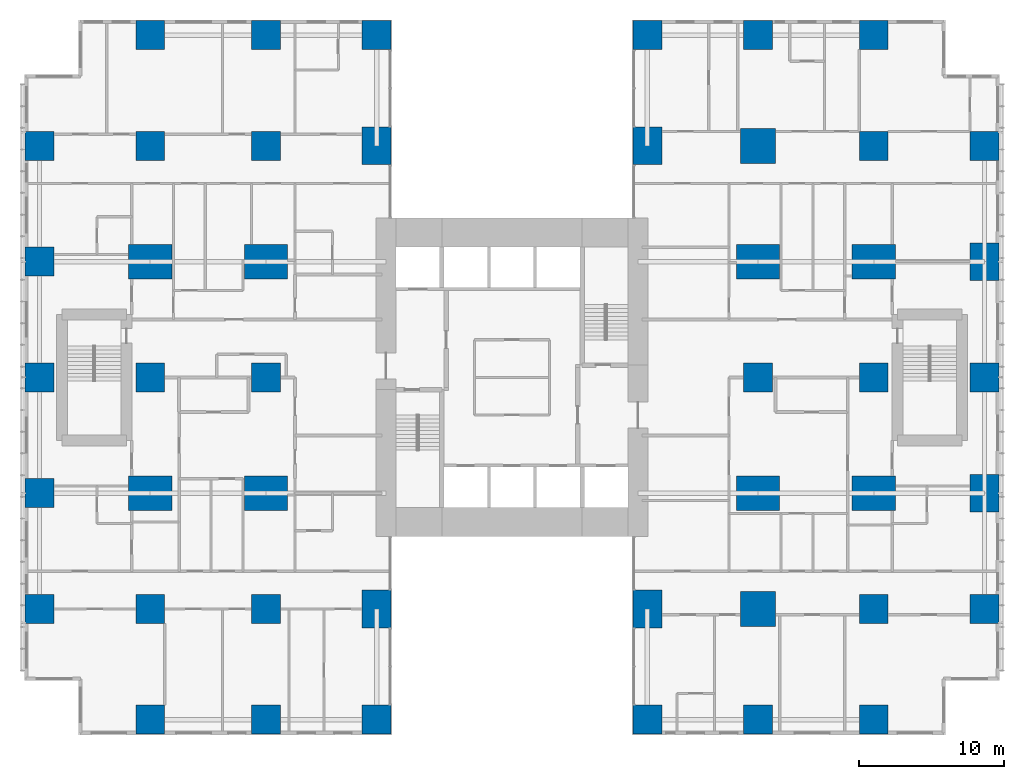
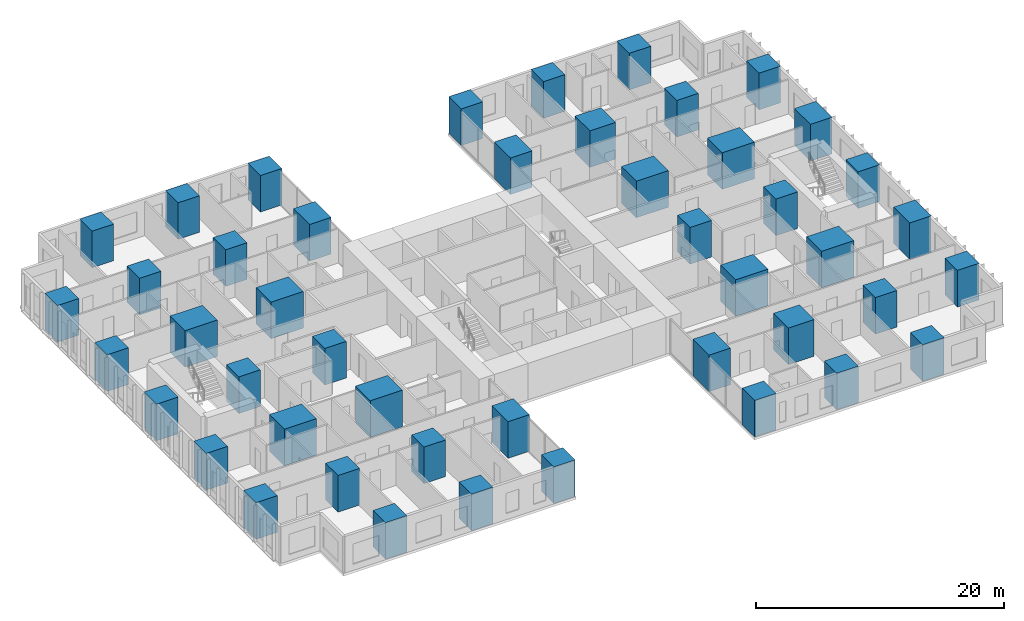
# One storey, part 1 of 20: 46 columns.
"""IFC4 building model written with IfcOpenShell, lengths in metres."""

from ifc_helpers import new_model, si_unit, direction, frame, origin, origin_2d, place, context, subcontext, project, spatial, rectangle, extrude, material, material_profile, profile_set, type_object, element, save


model = new_model("IFC4")

# Units and contexts
model_context = context("Model", 3, precision=1e-05, world=origin(), true_north=direction((0.0, 1.0)))
body_context = subcontext(model_context, "Body", "Model", "MODEL_VIEW")
ifc_project = project(units=[si_unit("LENGTHUNIT", "METRE"), si_unit("AREAUNIT", "SQUARE_METRE"), si_unit("VOLUMEUNIT", "CUBIC_METRE"), si_unit("PLANEANGLEUNIT", "RADIAN"), si_unit("MASSUNIT", "GRAM", prefix="KILO")], contexts=[model_context])

# Site, building, storey
site_placement = place(None, origin())
site = spatial("IfcSite", under=ifc_project, at=site_placement, CompositionType="ELEMENT")
building_placement = place(site_placement, origin())
building = spatial("IfcBuilding", under=site, at=building_placement, Name="Cleftline Residences", CompositionType="ELEMENT")
storey_placement = place(building_placement, frame((0.0, 0.0, 40.39990234375)))
storey = spatial("IfcBuildingStorey", under=building, at=storey_placement, Name="L09", CompositionType="ELEMENT", Elevation=40.39990234375)

# Columns
ifc_material_1 = material(Name="Concrete B70", Category="concrete")
ifc_material_profile_1 = material_profile(ifc_material_1, rectangle(XDim=2.0, YDim=2.0, at=origin_2d()))
ifc_profile_set_1 = profile_set([ifc_material_profile_1], Name="Concrete B70")
column_type_1 = type_object("IfcColumnType", Name="COLUMN RC2000X2000", PredefinedType="COLUMN", material=ifc_profile_set_1)
for number, where, z_axis, x_axis, name in (
    (1, (0.35009765625, 8.0, 0.0), (0.0, 0.0, 1.0), (1.0, 0.0, 0.0), "Column D/3"),
    (2, (0.35009765625, 16.0, 0.0), (0.0, 0.0, 1.0), (1.0, 0.0, 0.0), "Column E/3"),
    (3, (0.35009765625, 24.0, 0.0), (0.0, 0.0, 1.0), (1.0, 0.0, 0.0), "Column F/3"),
    (4, (0.35009765625, 32.0, 0.0), (0.0, 0.0, 1.0), (1.0, 0.0, 0.0), "Column G/3"),
    (5, (0.35009765625, 40.0, 0.0), (0.0, 0.0, 1.0), (1.0, 0.0, 0.0), "Column H/3"),
    (6, (8.0, 0.35009765625, 0.0), (0.0, 0.0, 1.0), (1.0, 0.0, 0.0), "Column C/4"),
    (7, (8.0, 8.0, 0.0), (0.0, 0.0, 1.0), (1.0, 0.0, 0.0), "Column D/4"),
    (8, (8.0, 24.0, 0.0), (0.0, 0.0, 1.0), (1.0, 0.0, 0.0), "Column F/4"),
    (9, (8.0, 40.0, 0.0), (0.0, 0.0, 1.0), (1.0, 0.0, 0.0), "Column H/4"),
    (10, (8.0, 47.64990234375, 0.0), (0.0, 0.0, 1.0), (1.0, 0.0, 0.0), "Column J/4"),
    (11, (16.0, 0.35009765625, 0.0), (0.0, 0.0, 1.0), (1.0, 0.0, 0.0), "Column C/5"),
    (12, (16.0, 8.0, 0.0), (0.0, 0.0, 1.0), (1.0, 0.0, 0.0), "Column D/5"),
    (13, (16.0, 24.0, 0.0), (0.0, 0.0, 1.0), (1.0, 0.0, 0.0), "Column F/5"),
    (14, (16.0, 40.0, 0.0), (0.0, 0.0, 1.0), (1.0, 0.0, 0.0), "Column H/5"),
    (15, (16.0, 47.64990234375, 0.0), (0.0, 0.0, 1.0), (1.0, 0.0, 0.0), "Column J/5"),
    (16, (23.64990234375, 0.35009765625, 0.0), (0.0, 0.0, 1.0), (1.0, 0.0, 0.0), "Column C/6"),
    (17, (23.64990234375, 47.64990234375, 0.0), (0.0, 0.0, 1.0), (1.0, 0.0, 0.0), "Column J/6"),
    (18, (42.35009765625, 0.35009765625, 0.0), (0.0, 0.0, 1.0), (1.0, 0.0, 0.0), "Column C/8"),
    (19, (42.35009765625, 47.64990234375, 0.0), (0.0, 0.0, 1.0), (1.0, 0.0, 0.0), "Column J/8"),
    (20, (50.0, 0.35009765625, 0.0), (0.0, 0.0, 1.0), (1.0, 0.0, 0.0), "Column C/9"),
    (21, (50.0, 24.0, 0.0), (0.0, 0.0, 1.0), (1.0, 0.0, 0.0), "Column F/9"),
    (22, (50.0, 47.64990234375, 0.0), (0.0, 0.0, 1.0), (1.0, 0.0, 0.0), "Column J/9"),
    (23, (58.0, 0.35009765625, 0.0), (0.0, 0.0, 1.0), (1.0, 0.0, 0.0), "Column C/10"),
    (24, (58.0, 8.0, 0.0), (0.0, 0.0, 1.0), (1.0, 0.0, 0.0), "Column D/10"),
    (25, (58.0, 24.0, 0.0), (0.0, 0.0, 1.0), (1.0, 0.0, 0.0), "Column F/10"),
    (26, (58.0, 40.0, 0.0), (0.0, 0.0, 1.0), (1.0, 0.0, 0.0), "Column H/10"),
    (27, (58.0, 47.64990234375, 0.0), (0.0, 0.0, 1.0), (1.0, 0.0, 0.0), "Column J/10"),
    (28, (65.64990234375, 8.0, 0.0), (0.0, 0.0, 1.0), (1.0, 0.0, 0.0), "Column D/11"),
    (29, (65.64990234375, 24.0, 0.0), (0.0, 0.0, 1.0), (1.0, 0.0, 0.0), "Column F/11"),
    (30, (65.64990234375, 40.0, 0.0), (0.0, 0.0, 1.0), (1.0, 0.0, 0.0), "Column H/11"),
):
    element("IfcColumn", number, at=place(storey_placement, frame(where, z_axis=z_axis, x_axis=x_axis)), inside=storey, type_object=column_type_1, Name=name, PredefinedType="COLUMN", context=body_context, shape_type="SweptSolid", body=[
        extrude(rectangle(XDim=2.0, YDim=2.0, at=origin_2d()), origin(), (0.0, 0.0, 1.0), 3.60009765625),
    ])
ifc_material_2 = material(Name="Concrete B70", Category="concrete")
ifc_material_profile_2 = material_profile(ifc_material_2, rectangle(XDim=2.0, YDim=2.60009765625, at=origin_2d()))
ifc_profile_set_2 = profile_set([ifc_material_profile_2], Name="Concrete B70")
column_type_2 = type_object("IfcColumnType", Name="COLUMN RC2000X2600", PredefinedType="COLUMN", material=ifc_profile_set_2)
for number, where, z_axis, x_axis, name in (
    (31, (23.64990234375, 8.0, 0.0), (0.0, 0.0, 1.0), (1.0, 0.0, 0.0), "Column D/6"),
    (32, (23.64990234375, 40.0, 0.0), (0.0, 0.0, 1.0), (1.0, 0.0, 0.0), "Column H/6"),
    (33, (42.35009765625, 8.0, 0.0), (0.0, 0.0, 1.0), (1.0, 0.0, 0.0), "Column D/8"),
    (34, (42.35009765625, 40.0, 0.0), (0.0, 0.0, 1.0), (1.0, 0.0, 0.0), "Column H/8"),
):
    element("IfcColumn", number, at=place(storey_placement, frame(where, z_axis=z_axis, x_axis=x_axis)), inside=storey, type_object=column_type_2, Name=name, PredefinedType="COLUMN", context=body_context, shape_type="SweptSolid", body=[
        extrude(rectangle(XDim=2.0, YDim=2.60009765625, at=origin_2d()), origin(), (0.0, 0.0, 1.0), 3.60009765625),
    ])
ifc_material_3 = material(Name="Concrete B70", Category="concrete")
ifc_material_profile_3 = material_profile(ifc_material_3, rectangle(XDim=2.39990234375, YDim=2.39990234375, at=origin_2d()))
ifc_profile_set_3 = profile_set([ifc_material_profile_3], Name="Concrete B70")
column_type_3 = type_object("IfcColumnType", Name="COLUMN RC2400X2400", PredefinedType="COLUMN", material=ifc_profile_set_3)
for number, where, z_axis, x_axis, name in (
    (35, (50.0, 8.0, 0.0), (0.0, 0.0, 1.0), (1.0, 0.0, 0.0), "Column D/9"),
    (36, (50.0, 40.0, 0.0), (0.0, 0.0, 1.0), (1.0, 0.0, 0.0), "Column H/9"),
):
    element("IfcColumn", number, at=place(storey_placement, frame(where, z_axis=z_axis, x_axis=x_axis)), inside=storey, type_object=column_type_3, Name=name, PredefinedType="COLUMN", context=body_context, shape_type="SweptSolid", body=[
        extrude(rectangle(XDim=2.39990234375, YDim=2.39990234375, at=origin_2d()), origin(), (0.0, 0.0, 1.0), 3.60009765625),
    ])
ifc_material_4 = material(Name="Concrete B70", Category="concrete")
ifc_material_profile_4 = material_profile(ifc_material_4, rectangle(XDim=2.60009765625, YDim=2.0, at=origin_2d()))
ifc_profile_set_4 = profile_set([ifc_material_profile_4], Name="Concrete B70")
column_type_4 = type_object("IfcColumnType", Name="COLUMN RC2600X2000", PredefinedType="COLUMN", material=ifc_profile_set_4)
for number, where, z_axis, x_axis, name in (
    (37, (65.64990234375, 16.0, 0.0), (0.0, 0.0, 1.0), (0.0, 1.0, 0.0), "Column E/11"),
    (38, (65.64990234375, 32.0, 0.0), (0.0, 0.0, 1.0), (0.0, 1.0, 0.0), "Column G/11"),
):
    element("IfcColumn", number, at=place(storey_placement, frame(where, z_axis=z_axis, x_axis=x_axis)), inside=storey, type_object=column_type_4, Name=name, PredefinedType="COLUMN", context=body_context, shape_type="SweptSolid", body=[
        extrude(rectangle(XDim=2.60009765625, YDim=2.0, at=origin_2d()), origin(), (0.0, 0.0, 1.0), 3.60009765625),
    ])
ifc_material_5 = material(Name="Concrete B70", Category="concrete")
ifc_material_profile_5 = material_profile(ifc_material_5, rectangle(XDim=3.0, YDim=2.39990234375, at=origin_2d()))
ifc_profile_set_5 = profile_set([ifc_material_profile_5], Name="Concrete B70")
column_type_5 = type_object("IfcColumnType", Name="COLUMN RC3000X2400", PredefinedType="COLUMN", material=ifc_profile_set_5)
for number, where, z_axis, x_axis, name in (
    (39, (8.0, 16.0, 0.0), (0.0, 0.0, 1.0), (1.0, 0.0, 0.0), "Column E/4"),
    (40, (8.0, 32.0, 0.0), (0.0, 0.0, 1.0), (1.0, 0.0, 0.0), "Column G/4"),
    (41, (16.0, 16.0, 0.0), (0.0, 0.0, 1.0), (1.0, 0.0, 0.0), "Column E/5"),
    (42, (16.0, 32.0, 0.0), (0.0, 0.0, 1.0), (1.0, 0.0, 0.0), "Column G/5"),
    (43, (50.0, 16.0, 0.0), (0.0, 0.0, 1.0), (1.0, 0.0, 0.0), "Column E/9"),
    (44, (50.0, 32.0, 0.0), (0.0, 0.0, 1.0), (1.0, 0.0, 0.0), "Column G/9"),
    (45, (58.0, 16.0, 0.0), (0.0, 0.0, 1.0), (1.0, 0.0, 0.0), "Column E/10"),
    (46, (58.0, 32.0, 0.0), (0.0, 0.0, 1.0), (1.0, 0.0, 0.0), "Column G/10"),
):
    element("IfcColumn", number, at=place(storey_placement, frame(where, z_axis=z_axis, x_axis=x_axis)), inside=storey, type_object=column_type_5, Name=name, PredefinedType="COLUMN", context=body_context, shape_type="SweptSolid", body=[
        extrude(rectangle(XDim=3.0, YDim=2.39990234375, at=origin_2d()), origin(), (0.0, 0.0, 1.0), 3.60009765625),
    ])

save(model, "model.ifc")
